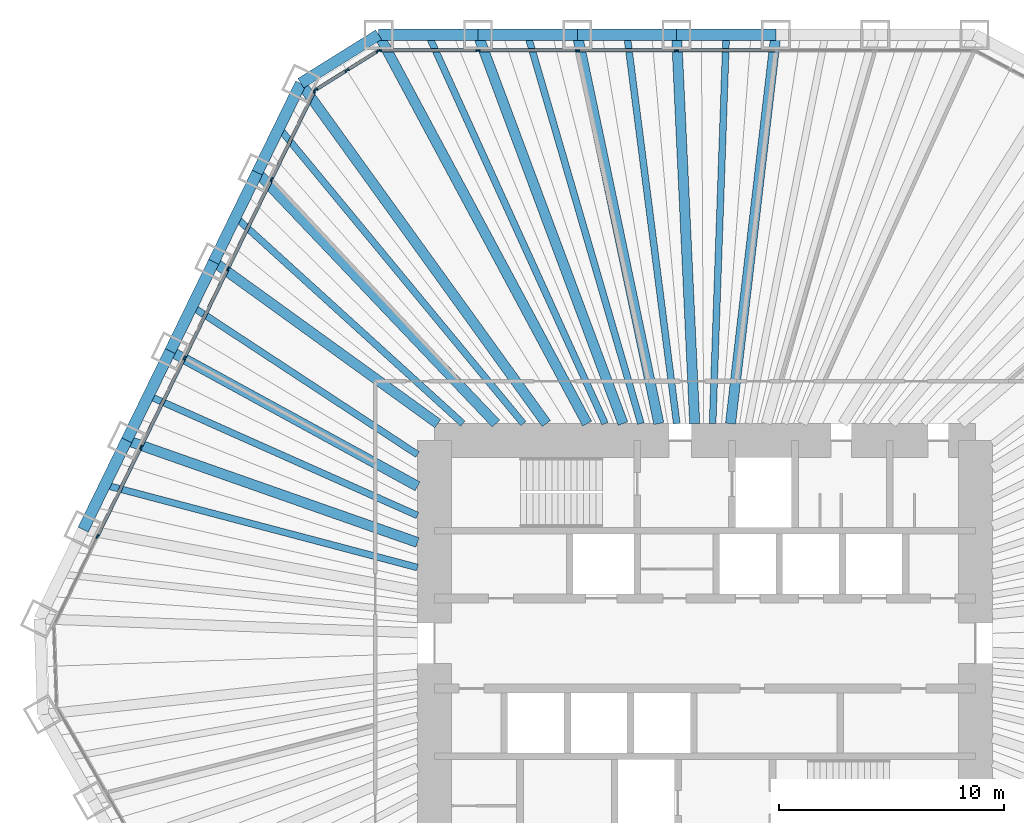
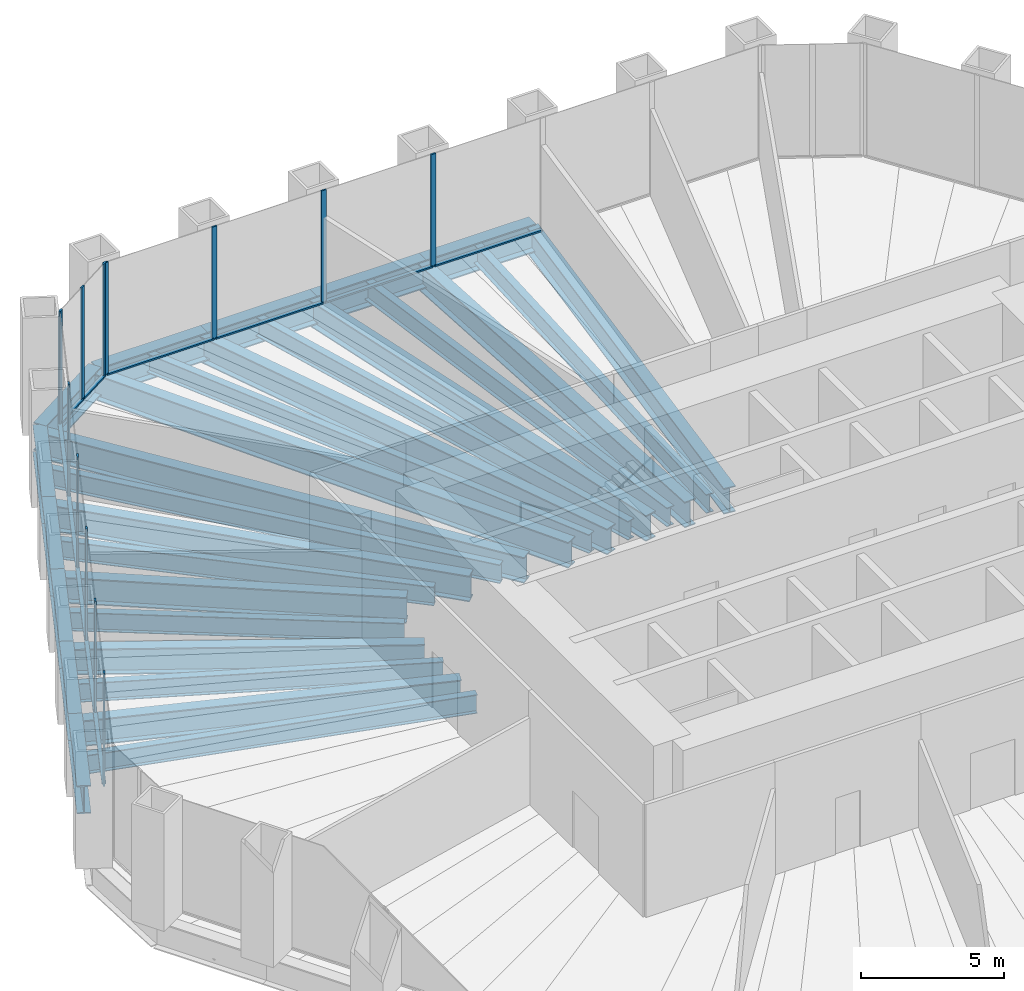
# One storey, part 6 of 13: 29 beams, 24 members, 3 elements without a shape of their own.
"""IFC4 building model written with IfcOpenShell, lengths in metres."""

from ifc_helpers import new_model, si_unit, direction, frame, origin, origin_2d, place, context, subcontext, project, spatial, rectangle, i_section, extrude, material, material_profile, profile_set, type_object, element, aggregate, save


model = new_model("IFC4")

# Units and contexts
model_context = context("Model", 3, precision=1e-05, world=origin(), true_north=direction((0.0, 1.0)))
body_context = subcontext(model_context, "Body", "Model", "MODEL_VIEW")
ifc_project = project(units=[si_unit("LENGTHUNIT", "METRE"), si_unit("AREAUNIT", "SQUARE_METRE"), si_unit("VOLUMEUNIT", "CUBIC_METRE"), si_unit("PLANEANGLEUNIT", "RADIAN"), si_unit("MASSUNIT", "GRAM", prefix="KILO")], contexts=[model_context])

# Site, building, storey
site_placement = place(None, origin())
site = spatial("IfcSite", under=ifc_project, at=site_placement, CompositionType="ELEMENT")
building_placement = place(site_placement, origin())
building = spatial("IfcBuilding", under=site, at=building_placement, Name="Qingtian Harvest Tower", CompositionType="ELEMENT")
storey_placement = place(building_placement, frame((0.0, 0.0, 77.0)))
storey = spatial("IfcBuildingStorey", under=building, at=storey_placement, Name="L15", CompositionType="ELEMENT", Elevation=77.0)

# Beams
ifc_material_1 = material(Name="Steel SM570MC", Category="steel")
ifc_material_profile_1 = material_profile(ifc_material_1, i_section(OverallWidth=0.449951171875, OverallDepth=1.10009765625, WebThickness=0.02197265625, FlangeThickness=0.044921875, at=origin_2d()), Name="H1100x450x22x45")
ifc_profile_set_1 = profile_set([ifc_material_profile_1], Name="Steel SM570MC")
beam_type_1 = type_object("IfcBeamType", Name="Corner floor beam FB8 H1100x450x22x45", PredefinedType="BEAM", material=ifc_profile_set_1)
beam_1_placement = place(storey_placement, frame((-14.471435546875, 27.0, -0.75), z_axis=(0.472401408299, -0.881383520062, 0.0), x_axis=(0.881383520062, 0.472401408299, 0.0)))
element("IfcBeam", 1, at=beam_1_placement, inside=storey, type_object=beam_type_1, Name="Floor beam FB8 N0", PredefinedType="BEAM", context=body_context, shape_type="SweptSolid", body=[
    extrude(i_section(OverallWidth=0.449951171875, OverallDepth=1.10009765625, WebThickness=0.02197265625, FlangeThickness=0.044921875, at=origin_2d()), origin(), (0.0, 0.0, 1.0), 19.571533203125),
])
beam_2_placement = place(storey_placement, frame((-17.923583984375, 24.8427734375, -0.75), z_axis=(0.585095822328, -0.810964166098, 0.0), x_axis=(0.810964166098, 0.585095822328, 0.0)))
element("IfcBeam", 2, at=beam_2_placement, inside=storey, type_object=beam_type_1, Name="Floor beam FB8 NW6", PredefinedType="BEAM", context=body_context, shape_type="SweptSolid", body=[
    extrude(i_section(OverallWidth=0.449951171875, OverallDepth=1.10009765625, WebThickness=0.02197265625, FlangeThickness=0.044921875, at=origin_2d()), origin(), (0.0, 0.0, 1.0), 18.61083984375),
])
ifc_material_2 = material(Name="Steel SM570MC", Category="steel")
ifc_material_profile_2 = material_profile(ifc_material_2, i_section(OverallWidth=0.449951171875, OverallDepth=1.10009765625, WebThickness=0.02197265625, FlangeThickness=0.044921875, at=origin_2d()), Name="H1100x450x22x45")
ifc_profile_set_2 = profile_set([ifc_material_profile_2], Name="Steel SM570MC")
beam_type_2 = type_object("IfcBeamType", Name="Floor beam FB1 H1100x450x22x45", PredefinedType="BEAM", material=ifc_profile_set_2)
beam_3_placement = place(storey_placement, frame((-10.06689453125, 27.0, -0.75), z_axis=(0.349355612113, -0.936990211414, 0.0), x_axis=(0.936990211414, 0.349355612113, 0.0)))
element("IfcBeam", 3, at=beam_3_placement, inside=storey, type_object=beam_type_2, Name="Floor beam FB1 N1", PredefinedType="BEAM", context=body_context, shape_type="SweptSolid", body=[
    extrude(i_section(OverallWidth=0.449951171875, OverallDepth=1.10009765625, WebThickness=0.02197265625, FlangeThickness=0.044921875, at=origin_2d()), origin(), (0.0, 0.0, 1.0), 18.409912109375),
])
beam_4_placement = place(storey_placement, frame((-5.662353515625, 27.0, -0.75), z_axis=(0.205255077335, -0.978708512903, 0.0), x_axis=(0.978708512903, 0.205255077335, 0.0)))
element("IfcBeam", 4, at=beam_4_placement, inside=storey, type_object=beam_type_2, Name="Floor beam FB1 N2", PredefinedType="BEAM", context=body_context, shape_type="SweptSolid", body=[
    extrude(i_section(OverallWidth=0.449951171875, OverallDepth=1.10009765625, WebThickness=0.02197265625, FlangeThickness=0.044921875, at=origin_2d()), origin(), (0.0, 0.0, 1.0), 17.625244140625),
])
beam_5_placement = place(storey_placement, frame((-1.257568359375, 27.0, -0.75), z_axis=(0.046527342366, -0.99891701678, 0.0), x_axis=(0.99891701678, 0.046527342366, 0.0)))
element("IfcBeam", 5, at=beam_5_placement, inside=storey, type_object=beam_type_2, Name="Floor beam FB1 N3", PredefinedType="BEAM", context=body_context, shape_type="SweptSolid", body=[
    extrude(i_section(OverallWidth=0.449951171875, OverallDepth=1.10009765625, WebThickness=0.02197265625, FlangeThickness=0.044921875, at=origin_2d()), origin(), (0.0, 0.0, 1.0), 17.268798828125),
])
beam_6_placement = place(storey_placement, frame((3.14697265625, 27.0, -0.75), z_axis=(-0.115766971807, -0.993276400726, 0.0), x_axis=(0.993276400726, -0.115766971807, 0.0)))
element("IfcBeam", 6, at=beam_6_placement, inside=storey, type_object=beam_type_2, Name="Floor beam FB1 N4", PredefinedType="BEAM", context=body_context, shape_type="SweptSolid", body=[
    extrude(i_section(OverallWidth=0.449951171875, OverallDepth=1.10009765625, WebThickness=0.02197265625, FlangeThickness=0.044921875, at=origin_2d()), origin(), (0.0, 0.0, 1.0), 17.36669921875),
])
beam_7_placement = place(storey_placement, frame((-25.64697265625, 9.007568359375, -0.75), z_axis=(0.943501950009, -0.331366972296, 0.0), x_axis=(0.331366972296, 0.943501950009, 0.0)))
element("IfcBeam", 7, at=beam_7_placement, inside=storey, type_object=beam_type_2, Name="Floor beam FB1 NW2", PredefinedType="BEAM", context=body_context, shape_type="SweptSolid", body=[
    extrude(i_section(OverallWidth=0.449951171875, OverallDepth=1.10009765625, WebThickness=0.02197265625, FlangeThickness=0.044921875, at=origin_2d()), origin(), (0.0, 0.0, 1.0), 13.669189453125),
])
beam_8_placement = place(storey_placement, frame((-23.716064453125, 12.96630859375, -0.75), z_axis=(0.877428569154, -0.479707312882, 0.0), x_axis=(0.479707312882, 0.877428569154, 0.0)))
element("IfcBeam", 8, at=beam_8_placement, inside=storey, type_object=beam_type_2, Name="Floor beam FB1 NW3", PredefinedType="BEAM", context=body_context, shape_type="SweptSolid", body=[
    extrude(i_section(OverallWidth=0.449951171875, OverallDepth=1.10009765625, WebThickness=0.02197265625, FlangeThickness=0.044921875, at=origin_2d()), origin(), (0.0, 0.0, 1.0), 12.498046875),
])
beam_9_placement = place(storey_placement, frame((-21.78515625, 16.92529296875, -0.75), z_axis=(0.810680279019, -0.585489099139, 0.0), x_axis=(0.585489099139, 0.810680279019, 0.0)))
element("IfcBeam", 9, at=beam_9_placement, inside=storey, type_object=beam_type_2, Name="Floor beam FB1 NW4", PredefinedType="BEAM", context=body_context, shape_type="SweptSolid", body=[
    extrude(i_section(OverallWidth=0.449951171875, OverallDepth=1.10009765625, WebThickness=0.02197265625, FlangeThickness=0.044921875, at=origin_2d()), origin(), (0.0, 0.0, 1.0), 12.255126953125),
])
beam_10_placement = place(storey_placement, frame((-19.8544921875, 20.884033203125, -0.75), z_axis=(0.689018801535, -0.724743465739, 0.0), x_axis=(0.724743465739, 0.689018801535, 0.0)))
element("IfcBeam", 10, at=beam_10_placement, inside=storey, type_object=beam_type_2, Name="Floor beam FB1 NW5", PredefinedType="BEAM", context=body_context, shape_type="SweptSolid", body=[
    extrude(i_section(OverallWidth=0.449951171875, OverallDepth=1.10009765625, WebThickness=0.02197265625, FlangeThickness=0.044921875, at=origin_2d()), origin(), (0.0, 0.0, 1.0), 15.36279296875),
])
ifc_material_3 = material(Name="Steel SN490B", Category="steel")
ifc_material_profile_3 = material_profile(ifc_material_3, i_section(OverallWidth=0.300048828125, OverallDepth=0.800048828125, WebThickness=0.013916015625, FlangeThickness=0.02587890625, at=origin_2d()), Name="H800x300x14x26")
ifc_profile_set_3 = profile_set([ifc_material_profile_3], Name="Steel SN490B")
beam_type_3 = type_object("IfcBeamType", Name="Floor joist J1 H800x300x14x26", PredefinedType="JOIST", material=ifc_profile_set_3)
beam_11_placement = place(storey_placement, frame((-12.269287109375, 27.0, -0.60009765625), z_axis=(0.413713629402, -0.910407069858, 0.0), x_axis=(0.910407069858, 0.413713629402, 0.0)))
element("IfcBeam", 11, at=beam_11_placement, inside=storey, type_object=beam_type_3, Name="Floor joist J1 N0", PredefinedType="JOIST", context=body_context, shape_type="SweptSolid", body=[
    extrude(i_section(OverallWidth=0.300048828125, OverallDepth=0.800048828125, WebThickness=0.013916015625, FlangeThickness=0.02587890625, at=origin_2d()), origin(), (0.0, 0.0, 1.0), 18.947509765625),
])
beam_12_placement = place(storey_placement, frame((-7.864501953125, 27.0, -0.60009765625), z_axis=(0.279649335299, -0.960102207719, 0.0), x_axis=(0.960102207719, 0.279649335299, 0.0)))
element("IfcBeam", 12, at=beam_12_placement, inside=storey, type_object=beam_type_3, Name="Floor joist J1 N1", PredefinedType="JOIST", context=body_context, shape_type="SweptSolid", body=[
    extrude(i_section(OverallWidth=0.300048828125, OverallDepth=0.800048828125, WebThickness=0.013916015625, FlangeThickness=0.02587890625, at=origin_2d()), origin(), (0.0, 0.0, 1.0), 17.966796875),
])
beam_13_placement = place(storey_placement, frame((-3.4599609375, 27.0, -0.60009765625), z_axis=(0.127102696173, -0.991889562716, 0.0), x_axis=(0.991889562716, 0.127102696173, 0.0)))
element("IfcBeam", 13, at=beam_13_placement, inside=storey, type_object=beam_type_3, Name="Floor joist J1 N2", PredefinedType="JOIST", context=body_context, shape_type="SweptSolid", body=[
    extrude(i_section(OverallWidth=0.300048828125, OverallDepth=0.800048828125, WebThickness=0.013916015625, FlangeThickness=0.02587890625, at=origin_2d()), origin(), (0.0, 0.0, 1.0), 17.39111328125),
])
beam_14_placement = place(storey_placement, frame((0.944580078125, 27.0, -0.60009765625), z_axis=(-0.034965020137, -0.99938853674, 0.0), x_axis=(0.99938853674, -0.034965020137, 0.0)))
element("IfcBeam", 14, at=beam_14_placement, inside=storey, type_object=beam_type_3, Name="Floor joist J1 N3", PredefinedType="JOIST", context=body_context, shape_type="SweptSolid", body=[
    extrude(i_section(OverallWidth=0.300048828125, OverallDepth=0.800048828125, WebThickness=0.013916015625, FlangeThickness=0.02587890625, at=origin_2d()), origin(), (0.0, 0.0, 1.0), 17.260498046875),
])
beam_15_placement = place(storey_placement, frame((-26.6123046875, 7.028076171875, -0.60009765625), z_axis=(0.966852496992, -0.255335561684, 0.0), x_axis=(0.255335561684, 0.966852496992, 0.0)))
element("IfcBeam", 15, at=beam_15_placement, inside=storey, type_object=beam_type_3, Name="Floor joist J1 NW1", PredefinedType="JOIST", context=body_context, shape_type="SweptSolid", body=[
    extrude(i_section(OverallWidth=0.300048828125, OverallDepth=0.800048828125, WebThickness=0.013916015625, FlangeThickness=0.02587890625, at=origin_2d()), origin(), (0.0, 0.0, 1.0), 14.337646484375),
])
beam_16_placement = place(storey_placement, frame((-24.681640625, 10.987060546875, -0.60009765625), z_axis=(0.913567796195, -0.406686466157, 0.0), x_axis=(0.406686466157, 0.913567796195, 0.0)))
element("IfcBeam", 16, at=beam_16_placement, inside=storey, type_object=beam_type_3, Name="Floor joist J1 NW2", PredefinedType="JOIST", context=body_context, shape_type="SweptSolid", body=[
    extrude(i_section(OverallWidth=0.300048828125, OverallDepth=0.800048828125, WebThickness=0.013916015625, FlangeThickness=0.02587890625, at=origin_2d()), origin(), (0.0, 0.0, 1.0), 13.060546875),
])
beam_17_placement = place(storey_placement, frame((-22.750732421875, 14.94580078125, -0.60009765625), z_axis=(0.835785467613, -0.549056146607, 0.0), x_axis=(0.549056146607, 0.835785467613, 0.0)))
element("IfcBeam", 17, at=beam_17_placement, inside=storey, type_object=beam_type_3, Name="Floor joist J1 NW3", PredefinedType="JOIST", context=body_context, shape_type="SweptSolid", body=[
    extrude(i_section(OverallWidth=0.300048828125, OverallDepth=0.800048828125, WebThickness=0.013916015625, FlangeThickness=0.02587890625, at=origin_2d()), origin(), (0.0, 0.0, 1.0), 11.965576171875),
])
beam_18_placement = place(storey_placement, frame((-20.81982421875, 18.904541015625, -0.60009765625), z_axis=(0.740339866926, -0.672232758381, 0.0), x_axis=(0.672232758381, 0.740339866926, 0.0)))
element("IfcBeam", 18, at=beam_18_placement, inside=storey, type_object=beam_type_3, Name="Floor joist J1 NW4", PredefinedType="JOIST", context=body_context, shape_type="SweptSolid", body=[
    extrude(i_section(OverallWidth=0.300048828125, OverallDepth=0.800048828125, WebThickness=0.013916015625, FlangeThickness=0.02587890625, at=origin_2d()), origin(), (0.0, 0.0, 1.0), 13.6181640625),
])
beam_19_placement = place(storey_placement, frame((-18.888916015625, 22.863525390625, -0.60009765625), z_axis=(0.636910378144, -0.77093785107, 0.0), x_axis=(0.77093785107, 0.636910378144, 0.0)))
element("IfcBeam", 19, at=beam_19_placement, inside=storey, type_object=beam_type_3, Name="Floor joist J1 NW5", PredefinedType="JOIST", context=body_context, shape_type="SweptSolid", body=[
    extrude(i_section(OverallWidth=0.300048828125, OverallDepth=0.800048828125, WebThickness=0.013916015625, FlangeThickness=0.02587890625, at=origin_2d()), origin(), (0.0, 0.0, 1.0), 17.009765625),
])

# Curtain wall, members
ifc_material_4 = material(Name="Bronze-anodised aluminium curtain wall", Category="aluminium")
curtain_wall_type = type_object("IfcCurtainWallType", Name="Curtain wall CW2 farm reception", PredefinedType="USERDEFINED", material=ifc_material_4)
curtain_wall_1_placement = place(storey_placement, origin())
curtain_wall_1 = element("IfcCurtainWall", 20, at=curtain_wall_1_placement, inside=storey, type_object=curtain_wall_type, Name="Curtain wall CW2 L15 N0-5", ObjectType="RECESSED CURTAIN WALL", PredefinedType="USERDEFINED")
ifc_material_5 = material(Name="Bronze-anodised aluminium mullion", Category="aluminium")
ifc_material_profile_4 = material_profile(ifc_material_5, rectangle(XDim=0.06494140625, YDim=0.199951171875, at=origin_2d()), Name="AL 65x200")
ifc_profile_set_4 = profile_set([ifc_material_profile_4], Name="Bronze-anodised aluminium mullion")
member_type_1 = type_object("IfcMemberType", Name="Mullion CWM 65x200", PredefinedType="MULLION", material=ifc_profile_set_4)
member_1_placement = place(storey_placement, frame((-14.43896484375, 26.300048828125, 0.0), z_axis=(0.0, 0.0, 1.0), x_axis=(0.0, 1.0, 0.0)))
member_1 = element("IfcMember", 21, at=member_1_placement, type_object=member_type_1, Name="CW2 mullion 1", PredefinedType="MULLION", context=body_context, shape_type="SweptSolid", body=[
    extrude(rectangle(XDim=0.06494140625, YDim=0.199951171875, at=origin_2d()), origin(), (0.0, 0.0, 1.0), 4.800048828125),
])
member_2_placement = place(storey_placement, frame((-10.06689453125, 26.300048828125, 0.0), z_axis=(0.0, 0.0, 1.0), x_axis=(0.0, 1.0, 0.0)))
member_2 = element("IfcMember", 22, at=member_2_placement, type_object=member_type_1, Name="CW2 mullion 2", PredefinedType="MULLION", context=body_context, shape_type="SweptSolid", body=[
    extrude(rectangle(XDim=0.06494140625, YDim=0.199951171875, at=origin_2d()), origin(), (0.0, 0.0, 1.0), 4.800048828125),
])
member_3_placement = place(storey_placement, frame((-5.662353515625, 26.300048828125, 0.0), z_axis=(0.0, 0.0, 1.0), x_axis=(0.0, 1.0, 0.0)))
member_3 = element("IfcMember", 23, at=member_3_placement, type_object=member_type_1, Name="CW2 mullion 3", PredefinedType="MULLION", context=body_context, shape_type="SweptSolid", body=[
    extrude(rectangle(XDim=0.06494140625, YDim=0.199951171875, at=origin_2d()), origin(), (0.0, 0.0, 1.0), 4.800048828125),
])
member_4_placement = place(storey_placement, frame((-1.257568359375, 26.300048828125, 0.0), z_axis=(0.0, 0.0, 1.0), x_axis=(0.0, 1.0, 0.0)))
member_4 = element("IfcMember", 24, at=member_4_placement, type_object=member_type_1, Name="CW2 mullion 4", PredefinedType="MULLION", context=body_context, shape_type="SweptSolid", body=[
    extrude(rectangle(XDim=0.06494140625, YDim=0.199951171875, at=origin_2d()), origin(), (0.0, 0.0, 1.0), 4.800048828125),
])

curtain_wall_2_placement = place(storey_placement, origin())
curtain_wall_2 = element("IfcCurtainWall", 25, at=curtain_wall_2_placement, inside=storey, type_object=curtain_wall_type, Name="Curtain wall CW2 L15 NW0-5", ObjectType="RECESSED CURTAIN WALL", PredefinedType="USERDEFINED")
member_5_placement = place(storey_placement, frame((-26.94873046875, 4.741943359375, 0.0), z_axis=(0.0, 0.0, 1.0), x_axis=(-0.898794046299, 0.438371146789, 0.0)))
member_5 = element("IfcMember", 26, at=member_5_placement, type_object=member_type_1, Name="CW2 mullion 2", PredefinedType="MULLION", context=body_context, shape_type="SweptSolid", body=[
    extrude(rectangle(XDim=0.06494140625, YDim=0.199951171875, at=origin_2d()), origin(), (0.0, 0.0, 1.0), 4.800048828125),
])
member_6_placement = place(storey_placement, frame((-25.017822265625, 8.70068359375, 0.0), z_axis=(0.0, 0.0, 1.0), x_axis=(-0.898794046299, 0.438371146789, 0.0)))
member_6 = element("IfcMember", 27, at=member_6_placement, type_object=member_type_1, Name="CW2 mullion 3", PredefinedType="MULLION", context=body_context, shape_type="SweptSolid", body=[
    extrude(rectangle(XDim=0.06494140625, YDim=0.199951171875, at=origin_2d()), origin(), (0.0, 0.0, 1.0), 4.800048828125),
])
member_7_placement = place(storey_placement, frame((-23.0869140625, 12.659423828125, 0.0), z_axis=(0.0, 0.0, 1.0), x_axis=(-0.898794046299, 0.438371146789, 0.0)))
member_7 = element("IfcMember", 28, at=member_7_placement, type_object=member_type_1, Name="CW2 mullion 4", PredefinedType="MULLION", context=body_context, shape_type="SweptSolid", body=[
    extrude(rectangle(XDim=0.06494140625, YDim=0.199951171875, at=origin_2d()), origin(), (0.0, 0.0, 1.0), 4.800048828125),
])
member_8_placement = place(storey_placement, frame((-21.156005859375, 16.618408203125, 0.0), z_axis=(0.0, 0.0, 1.0), x_axis=(-0.898794046299, 0.438371146789, 0.0)))
member_8 = element("IfcMember", 29, at=member_8_placement, type_object=member_type_1, Name="CW2 mullion 5", PredefinedType="MULLION", context=body_context, shape_type="SweptSolid", body=[
    extrude(rectangle(XDim=0.06494140625, YDim=0.199951171875, at=origin_2d()), origin(), (0.0, 0.0, 1.0), 4.800048828125),
])
member_9_placement = place(storey_placement, frame((-19.225341796875, 20.5771484375, 0.0), z_axis=(0.0, 0.0, 1.0), x_axis=(-0.898794046299, 0.438371146789, 0.0)))
member_9 = element("IfcMember", 30, at=member_9_placement, type_object=member_type_1, Name="CW2 mullion 6", PredefinedType="MULLION", context=body_context, shape_type="SweptSolid", body=[
    extrude(rectangle(XDim=0.06494140625, YDim=0.199951171875, at=origin_2d()), origin(), (0.0, 0.0, 1.0), 4.800048828125),
])
member_10_placement = place(storey_placement, frame((-17.30859375, 24.5068359375, 0.0), z_axis=(0.0, 0.0, 1.0), x_axis=(-0.898794046299, 0.438371146789, 0.0)))
member_10 = element("IfcMember", 31, at=member_10_placement, type_object=member_type_1, Name="CW2 mullion 7", PredefinedType="MULLION", context=body_context, shape_type="SweptSolid", body=[
    extrude(rectangle(XDim=0.06494140625, YDim=0.199951171875, at=origin_2d()), origin(), (0.0, 0.0, 1.0), 4.800048828125),
])

curtain_wall_3_placement = place(storey_placement, origin())
curtain_wall_3 = element("IfcCurtainWall", 32, at=curtain_wall_3_placement, inside=storey, type_object=curtain_wall_type, Name="Curtain wall CW2 L15 NWC", ObjectType="RECESSED CURTAIN WALL", PredefinedType="USERDEFINED")
member_11_placement = place(storey_placement, frame((-17.266845703125, 24.55322265625, 0.0), z_axis=(0.0, 0.0, 1.0), x_axis=(-0.529919264233, 0.848048096156, 0.0)))
member_11 = element("IfcMember", 33, at=member_11_placement, type_object=member_type_1, Name="CW2 mullion 1", PredefinedType="MULLION", context=body_context, shape_type="SweptSolid", body=[
    extrude(rectangle(XDim=0.06494140625, YDim=0.199951171875, at=origin_2d()), origin(), (0.0, 0.0, 1.0), 4.800048828125),
])
member_12_placement = place(storey_placement, frame((-15.883056640625, 25.41796875, 0.0), z_axis=(0.0, 0.0, 1.0), x_axis=(-0.529919264233, 0.848048096156, 0.0)))
member_12 = element("IfcMember", 34, at=member_12_placement, type_object=member_type_1, Name="CW2 mullion 2", PredefinedType="MULLION", context=body_context, shape_type="SweptSolid", body=[
    extrude(rectangle(XDim=0.06494140625, YDim=0.199951171875, at=origin_2d()), origin(), (0.0, 0.0, 1.0), 4.800048828125),
])
member_13_placement = place(storey_placement, frame((-14.4990234375, 26.28271484375, 0.0), z_axis=(0.0, 0.0, 1.0), x_axis=(-0.529919264233, 0.848048096156, 0.0)))
member_13 = element("IfcMember", 35, at=member_13_placement, type_object=member_type_1, Name="CW2 mullion 3", PredefinedType="MULLION", context=body_context, shape_type="SweptSolid", body=[
    extrude(rectangle(XDim=0.06494140625, YDim=0.199951171875, at=origin_2d()), origin(), (0.0, 0.0, 1.0), 4.800048828125),
])

# Beams
ifc_material_6 = material(Name="Steel SM570MC", Category="steel")
ifc_material_profile_5 = material_profile(ifc_material_6, i_section(OverallWidth=0.5, OverallDepth=1.199951171875, WebThickness=0.02490234375, FlangeThickness=0.050048828125, at=origin_2d()), Name="H1200x500x25x50")
ifc_profile_set_5 = profile_set([ifc_material_profile_5], Name="Steel SM570MC")
beam_type_4 = type_object("IfcBeamType", Name="Spandrel beam SB1 H1200x500x25x50", PredefinedType="SPANDREL", material=ifc_profile_set_5)
for number, where, z_axis, x_axis, name in (
    (36, (-14.471435546875, 27.0, -0.60009765625), (1.0, 0.0, 0.0), (0.0, 1.0, 0.0), "Spandrel SB1 N0"),
    (37, (-10.06689453125, 27.0, -0.60009765625), (1.0, 0.0, 0.0), (0.0, 1.0, 0.0), "Spandrel SB1 N1"),
):
    element("IfcBeam", number, at=place(storey_placement, frame(where, z_axis=z_axis, x_axis=x_axis)), inside=storey, type_object=beam_type_4, Name=name, PredefinedType="SPANDREL", context=body_context, shape_type="SweptSolid", body=[
        extrude(i_section(OverallWidth=0.5, OverallDepth=1.199951171875, WebThickness=0.02490234375, FlangeThickness=0.050048828125, at=origin_2d()), origin(), (0.0, 0.0, 1.0), 4.404541015625),
    ])
beam_20_placement = place(storey_placement, frame((-5.662353515625, 27.0, -0.60009765625), z_axis=(1.0, 0.0, 0.0), x_axis=(0.0, 1.0, 0.0)))
element("IfcBeam", 38, at=beam_20_placement, inside=storey, type_object=beam_type_4, Name="Spandrel SB1 N2", PredefinedType="SPANDREL", context=body_context, shape_type="SweptSolid", body=[
    extrude(i_section(OverallWidth=0.5, OverallDepth=1.199951171875, WebThickness=0.02490234375, FlangeThickness=0.050048828125, at=origin_2d()), origin(), (0.0, 0.0, 1.0), 4.40478515625),
])
for number, where, z_axis, x_axis, name in (
    (39, (-1.257568359375, 27.0, -0.60009765625), (1.0, 0.0, 0.0), (0.0, 1.0, 0.0), "Spandrel SB1 N3"),
    (40, (-27.577880859375, 5.048828125, -0.60009765625), (0.438389777529, 0.898784959241, 0.0), (-0.898784959241, 0.438389777529, 0.0), "Spandrel SB1 NW1"),
    (41, (-25.64697265625, 9.007568359375, -0.60009765625), (0.438389777529, 0.898784959241, 0.0), (-0.898784959241, 0.438389777529, 0.0), "Spandrel SB1 NW2"),
):
    element("IfcBeam", number, at=place(storey_placement, frame(where, z_axis=z_axis, x_axis=x_axis)), inside=storey, type_object=beam_type_4, Name=name, PredefinedType="SPANDREL", context=body_context, shape_type="SweptSolid", body=[
        extrude(i_section(OverallWidth=0.5, OverallDepth=1.199951171875, WebThickness=0.02490234375, FlangeThickness=0.050048828125, at=origin_2d()), origin(), (0.0, 0.0, 1.0), 4.404541015625),
    ])
beam_21_placement = place(storey_placement, frame((-23.716064453125, 12.96630859375, -0.60009765625), z_axis=(0.438367938366, 0.898795611145, 0.0), x_axis=(-0.898795611145, 0.438367938366, 0.0)))
element("IfcBeam", 42, at=beam_21_placement, inside=storey, type_object=beam_type_4, Name="Spandrel SB1 NW3", PredefinedType="SPANDREL", context=body_context, shape_type="SweptSolid", body=[
    extrude(i_section(OverallWidth=0.5, OverallDepth=1.199951171875, WebThickness=0.02490234375, FlangeThickness=0.050048828125, at=origin_2d()), origin(), (0.0, 0.0, 1.0), 4.40478515625),
])
for number, where, z_axis, x_axis, name in (
    (43, (-21.78515625, 16.92529296875, -0.60009765625), (0.438344999367, 0.898806798778, 0.0), (-0.898806798778, 0.438344999367, 0.0), "Spandrel SB1 NW4"),
    (44, (-19.8544921875, 20.884033203125, -0.60009765625), (0.438389777529, 0.898784959241, 0.0), (-0.898784959241, 0.438389777529, 0.0), "Spandrel SB1 NW5"),
):
    element("IfcBeam", number, at=place(storey_placement, frame(where, z_axis=z_axis, x_axis=x_axis)), inside=storey, type_object=beam_type_4, Name=name, PredefinedType="SPANDREL", context=body_context, shape_type="SweptSolid", body=[
        extrude(i_section(OverallWidth=0.5, OverallDepth=1.199951171875, WebThickness=0.02490234375, FlangeThickness=0.050048828125, at=origin_2d()), origin(), (0.0, 0.0, 1.0), 4.404541015625),
    ])
beam_22_placement = place(storey_placement, frame((-17.923583984375, 24.8427734375, -0.60009765625), z_axis=(0.848038733752, 0.529934246919, 0.0), x_axis=(-0.529934246919, 0.848038733752, 0.0)))
element("IfcBeam", 45, at=beam_22_placement, inside=storey, type_object=beam_type_4, Name="Spandrel SB1 NWC", PredefinedType="SPANDREL", context=body_context, shape_type="SweptSolid", body=[
    extrude(i_section(OverallWidth=0.5, OverallDepth=1.199951171875, WebThickness=0.02490234375, FlangeThickness=0.050048828125, at=origin_2d()), origin(), (0.0, 0.0, 1.0), 4.07080078125),
])

# Member
ifc_material_7 = material(Name="Bronze-anodised aluminium transom", Category="aluminium")
ifc_material_profile_6 = material_profile(ifc_material_7, rectangle(XDim=0.14990234375, YDim=0.06494140625, at=origin_2d()), Name="AL 65x150")
ifc_profile_set_6 = profile_set([ifc_material_profile_6], Name="Bronze-anodised aluminium transom")
member_type_2 = type_object("IfcMemberType", Name="Transom CWT 65x150", PredefinedType="USERDEFINED", material=ifc_profile_set_6)
member_14_placement = place(storey_placement, frame((-14.406494140625, 26.300048828125, 0.032470703125), z_axis=(1.0, 0.0, 0.0), x_axis=(0.0, 1.0, 0.0)))
member_14 = element("IfcMember", 46, at=member_14_placement, type_object=member_type_2, Name="CW2 transom 1.1", ObjectType="TRANSOM", PredefinedType="USERDEFINED", context=body_context, shape_type="SweptSolid", body=[
    extrude(rectangle(XDim=0.14990234375, YDim=0.06494140625, at=origin_2d()), origin(), (0.0, 0.0, 1.0), 4.30712890625),
])

member_15_placement = place(storey_placement, frame((-10.034423828125, 26.300048828125, 0.032470703125), z_axis=(1.0, 0.0, 0.0), x_axis=(0.0, 1.0, 0.0)))
member_15 = element("IfcMember", 47, at=member_15_placement, type_object=member_type_2, Name="CW2 transom 2.1", ObjectType="TRANSOM", PredefinedType="USERDEFINED", context=body_context, shape_type="SweptSolid", body=[
    extrude(rectangle(XDim=0.14990234375, YDim=0.06494140625, at=origin_2d()), origin(), (0.0, 0.0, 1.0), 4.339599609375),
])

member_16_placement = place(storey_placement, frame((-5.6298828125, 26.300048828125, 0.032470703125), z_axis=(1.0, 0.0, 0.0), x_axis=(0.0, 1.0, 0.0)))
member_16 = element("IfcMember", 48, at=member_16_placement, type_object=member_type_2, Name="CW2 transom 3.1", ObjectType="TRANSOM", PredefinedType="USERDEFINED", context=body_context, shape_type="SweptSolid", body=[
    extrude(rectangle(XDim=0.14990234375, YDim=0.06494140625, at=origin_2d()), origin(), (0.0, 0.0, 1.0), 4.33984375),
])

member_17_placement = place(storey_placement, frame((-1.22509765625, 26.300048828125, 0.032470703125), z_axis=(1.0, 0.0, 0.0), x_axis=(0.0, 1.0, 0.0)))
member_17 = element("IfcMember", 49, at=member_17_placement, type_object=member_type_2, Name="CW2 transom 4.1", ObjectType="TRANSOM", PredefinedType="USERDEFINED", context=body_context, shape_type="SweptSolid", body=[
    extrude(rectangle(XDim=0.14990234375, YDim=0.06494140625, at=origin_2d()), origin(), (0.0, 0.0, 1.0), 4.339599609375),
])

aggregate(curtain_wall_1, [member_1, member_2, member_3, member_4, member_14, member_15, member_16, member_17])

member_18_placement = place(storey_placement, frame((-26.934326171875, 4.77099609375, 0.032470703125), z_axis=(0.438370427127, 0.898794397302, 0.0), x_axis=(-0.898794397302, 0.438370427127, 0.0)))
member_18 = element("IfcMember", 50, at=member_18_placement, type_object=member_type_2, Name="CW2 transom 2.1", ObjectType="TRANSOM", PredefinedType="USERDEFINED", context=body_context, shape_type="SweptSolid", body=[
    extrude(rectangle(XDim=0.14990234375, YDim=0.06494140625, at=origin_2d()), origin(), (0.0, 0.0, 1.0), 4.339599609375),
])

member_19_placement = place(storey_placement, frame((-25.003662109375, 8.72998046875, 0.032470703125), z_axis=(0.438370427127, 0.898794397302, 0.0), x_axis=(-0.898794397302, 0.438370427127, 0.0)))
member_19 = element("IfcMember", 51, at=member_19_placement, type_object=member_type_2, Name="CW2 transom 3.1", ObjectType="TRANSOM", PredefinedType="USERDEFINED", context=body_context, shape_type="SweptSolid", body=[
    extrude(rectangle(XDim=0.14990234375, YDim=0.06494140625, at=origin_2d()), origin(), (0.0, 0.0, 1.0), 4.339599609375),
])

member_20_placement = place(storey_placement, frame((-23.07275390625, 12.688720703125, 0.032470703125), z_axis=(0.438370427127, 0.898794397302, 0.0), x_axis=(-0.898794397302, 0.438370427127, 0.0)))
member_20 = element("IfcMember", 52, at=member_20_placement, type_object=member_type_2, Name="CW2 transom 4.1", ObjectType="TRANSOM", PredefinedType="USERDEFINED", context=body_context, shape_type="SweptSolid", body=[
    extrude(rectangle(XDim=0.14990234375, YDim=0.06494140625, at=origin_2d()), origin(), (0.0, 0.0, 1.0), 4.339599609375),
])

member_21_placement = place(storey_placement, frame((-21.141845703125, 16.6474609375, 0.032470703125), z_axis=(0.438348261778, 0.898805207704, 0.0), x_axis=(-0.898805207704, 0.438348261778, 0.0)))
member_21 = element("IfcMember", 53, at=member_21_placement, type_object=member_type_2, Name="CW2 transom 5.1", ObjectType="TRANSOM", PredefinedType="USERDEFINED", context=body_context, shape_type="SweptSolid", body=[
    extrude(rectangle(XDim=0.14990234375, YDim=0.06494140625, at=origin_2d()), origin(), (0.0, 0.0, 1.0), 4.33984375),
])

member_22_placement = place(storey_placement, frame((-19.2109375, 20.6064453125, 0.032470703125), z_axis=(0.438348803491, 0.89880494351, 0.0), x_axis=(-0.89880494351, 0.438348803491, 0.0)))
member_22 = element("IfcMember", 54, at=member_22_placement, type_object=member_type_2, Name="CW2 transom 6.1", ObjectType="TRANSOM", PredefinedType="USERDEFINED", context=body_context, shape_type="SweptSolid", body=[
    extrude(rectangle(XDim=0.14990234375, YDim=0.06494140625, at=origin_2d()), origin(), (0.0, 0.0, 1.0), 4.306884765625),
])

aggregate(curtain_wall_2, [member_5, member_6, member_7, member_8, member_9, member_10, member_18, member_19, member_20, member_21, member_22])

member_23_placement = place(storey_placement, frame((-17.2392578125, 24.570556640625, 0.032470703125), z_axis=(0.848059570903, 0.529900900357, 0.0), x_axis=(-0.529900900357, 0.848059570903, 0.0)))
member_23 = element("IfcMember", 55, at=member_23_placement, type_object=member_type_2, Name="CW2 transom 1.1", ObjectType="TRANSOM", PredefinedType="USERDEFINED", context=body_context, shape_type="SweptSolid", body=[
    extrude(rectangle(XDim=0.14990234375, YDim=0.06494140625, at=origin_2d()), origin(), (0.0, 0.0, 1.0), 1.56689453125),
])

member_24_placement = place(storey_placement, frame((-15.85546875, 25.435302734375, 0.032470703125), z_axis=(0.848059570903, 0.529900900357, 0.0), x_axis=(-0.529900900357, 0.848059570903, 0.0)))
member_24 = element("IfcMember", 56, at=member_24_placement, type_object=member_type_2, Name="CW2 transom 2.1", ObjectType="TRANSOM", PredefinedType="USERDEFINED", context=body_context, shape_type="SweptSolid", body=[
    extrude(rectangle(XDim=0.14990234375, YDim=0.06494140625, at=origin_2d()), origin(), (0.0, 0.0, 1.0), 1.56689453125),
])

aggregate(curtain_wall_3, [member_11, member_12, member_13, member_23, member_24])

save(model, "model.ifc")
